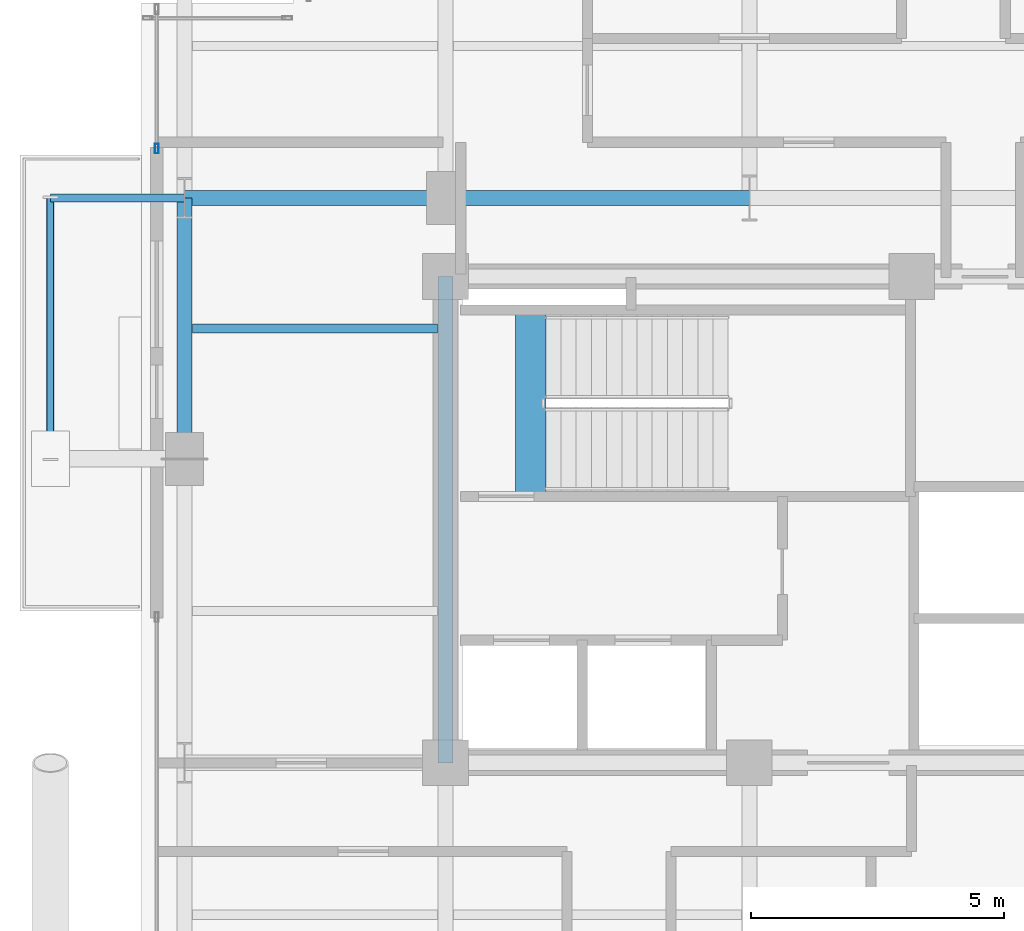
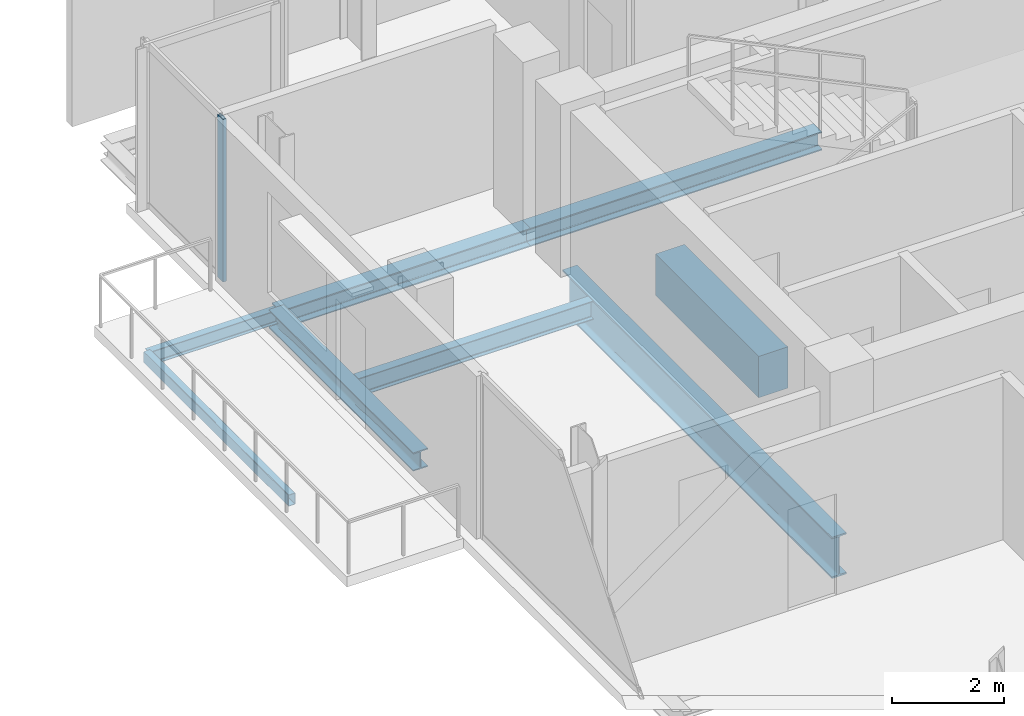
# One storey, part 8 of 28: 8 beams, 1 member, 1 element without a shape of its own.
"""IFC4 building model written with IfcOpenShell, lengths in metres."""

from ifc_helpers import new_model, si_unit, direction, frame, origin, origin_2d, place, context, subcontext, project, spatial, rectangle, hollow_rectangle, i_section, extrude, material, layer, layer_set, material_profile, profile_set, type_object, element, aggregate, save


model = new_model("IFC4")

# Units and contexts
model_context = context("Model", 3, precision=1e-05, world=origin(), true_north=direction((0.0, 1.0)))
body_context = subcontext(model_context, "Body", "Model", "MODEL_VIEW")
ifc_project = project(units=[si_unit("LENGTHUNIT", "METRE"), si_unit("AREAUNIT", "SQUARE_METRE"), si_unit("VOLUMEUNIT", "CUBIC_METRE"), si_unit("PLANEANGLEUNIT", "RADIAN"), si_unit("MASSUNIT", "GRAM", prefix="KILO"), si_unit("THERMODYNAMICTEMPERATUREUNIT", "KELVIN"), si_unit("POWERUNIT", "WATT")], contexts=[model_context])

# Site, building, storey
site_placement = place(None, origin())
site = spatial("IfcSite", under=ifc_project, at=site_placement, CompositionType="ELEMENT")
building_placement = place(site_placement, origin())
building = spatial("IfcBuilding", under=site, at=building_placement, Name="Svarakhadi Broadcast Tower", CompositionType="ELEMENT")
storey_placement = place(building_placement, frame((0.0, 0.0, 169.199951171875)))
storey = spatial("IfcBuildingStorey", under=building, at=storey_placement, Name="L41", CompositionType="ELEMENT", Elevation=169.199951171875)

# Beam
ifc_material_1 = material(Name="Steel S355J2 (IS 2062 E350C)", Category="steel")
ifc_material_profile_1 = material_profile(ifc_material_1, i_section(OverallWidth=0.179931640625, OverallDepth=0.39990234375, WebThickness=0.008544921875, FlangeThickness=0.013427734375, FilletRadius=0.02099609375, at=origin_2d()), Name="NPB 400x180x66")
ifc_profile_set_1 = profile_set([ifc_material_profile_1], Name="Steel S355J2 (IS 2062 E350C)")
beam_type_1 = type_object("IfcBeamType", Name="Beam_NPB400", PredefinedType="BEAM", material=ifc_profile_set_1)
beam_1_placement = place(storey_placement, frame((1.010009765625, 26.574951171875, -0.409912109375), z_axis=(1.0, 0.0, 0.0), x_axis=(0.0, 1.0, 0.0)))
element("IfcBeam", 1, at=beam_1_placement, inside=storey, type_object=beam_type_1, Name="L41 Secondary Composite Beam SB004", PredefinedType="BEAM", context=body_context, shape_type="SweptSolid", body=[
    extrude(i_section(OverallWidth=0.179931640625, OverallDepth=0.39990234375, WebThickness=0.008544921875, FlangeThickness=0.013427734375, FilletRadius=0.02099609375, at=origin_2d()), origin(), (0.0, 0.0, 1.0), 4.830078125),
])

# Curtain wall, member
ifc_material_2 = material(Name="Anodised Bronze Aluminium AA 6063-T6", Category="aluminium")
ifc_layer = layer(ifc_material_2, 0.18994140625)
ifc_layer_set = layer_set([ifc_layer], Name="Anodised Bronze Aluminium AA 6063-T6")
curtain_wall_type = type_object("IfcCurtainWallType", Name="CW_Sys_04", PredefinedType="NOTDEFINED", material=ifc_layer_set)
curtain_wall_placement = place(storey_placement, origin())
curtain_wall = element("IfcCurtainWall", 2, at=curtain_wall_placement, inside=storey, type_object=curtain_wall_type, Name="L41 West Curtain Wall 03", PredefinedType="NOTDEFINED")
ifc_material_profile_2 = material_profile(ifc_material_2, hollow_rectangle(XDim=0.070068359375, YDim=0.18994140625, WallThickness=0.005615234375, at=origin_2d()), Name="ALU MULLION 190x70x6")
ifc_profile_set_2 = profile_set([ifc_material_profile_2], Name="Anodised Bronze Aluminium AA 6063-T6")
member_type = type_object("IfcMemberType", Name="CW_Sys_04_Mul", PredefinedType="MULLION", material=ifc_profile_set_2)
member_placement = place(storey_placement, frame((0.300048828125, 30.125, 0.0), z_axis=(0.0, 0.0, 1.0), x_axis=(-1.0, 0.0, 0.0)))
member = element("IfcMember", 3, at=member_placement, type_object=member_type, Name="CW-04 mullion 1", PredefinedType="MULLION", context=body_context, shape_type="SweptSolid", body=[
    extrude(hollow_rectangle(XDim=0.070068359375, YDim=0.18994140625, WallThickness=0.005615234375, at=origin_2d()), origin(), (0.0, 0.0, 1.0), 3.5400390625),
])
aggregate(curtain_wall, [member])

# Beams
ifc_material_3 = material(Name="Concrete C50/60 (IS 456 M60)", Category="concrete")
ifc_material_profile_3 = material_profile(ifc_material_3, rectangle(XDim=0.60009765625, YDim=0.89990234375, at=origin_2d()), Name="RC 600x900")
ifc_profile_set_3 = profile_set([ifc_material_profile_3], Name="Concrete C50/60 (IS 456 M60)")
beam_type_2 = type_object("IfcBeamType", Name="Coupling_RC600", PredefinedType="USERDEFINED", material=ifc_profile_set_3)
beam_2_placement = place(storey_placement, frame((7.679931640625, 23.260009765625, -0.449951171875), z_axis=(0.0, 1.0, 0.0), x_axis=(-1.0, 0.0, 0.0)))
element("IfcBeam", 4, at=beam_2_placement, inside=storey, type_object=beam_type_2, Name="L41 Stair ST-01 Landing Throat Trimmer Beam CB-01", ObjectType="GIRDER", PredefinedType="USERDEFINED", context=body_context, shape_type="SweptSolid", body=[
    extrude(rectangle(XDim=0.60009765625, YDim=0.89990234375, at=origin_2d()), origin(), (0.0, 0.0, 1.0), 3.679931640625),
])
ifc_material_profile_4 = material_profile(ifc_material_1, i_section(OverallWidth=0.300048828125, OverallDepth=0.39990234375, WebThickness=0.013427734375, FlangeThickness=0.02392578125, FilletRadius=0.027099609375, at=origin_2d()), Name="WPB 400x300x155")
ifc_profile_set_4 = profile_set([ifc_material_profile_4], Name="Steel S355J2 (IS 2062 E350C)")
beam_type_3 = type_object("IfcBeamType", Name="Girder_WPB400", PredefinedType="USERDEFINED", material=ifc_profile_set_4)
beam_3_placement = place(storey_placement, frame((0.85009765625, 29.14990234375, -0.409912109375), z_axis=(1.0, 0.0, 0.0), x_axis=(0.0, 1.0, 0.0)))
element("IfcBeam", 5, at=beam_3_placement, inside=storey, type_object=beam_type_3, Name="L41 Primary E-W Girder G029", ObjectType="GIRDER", PredefinedType="USERDEFINED", context=body_context, shape_type="SweptSolid", body=[
    extrude(i_section(OverallWidth=0.300048828125, OverallDepth=0.39990234375, WebThickness=0.013427734375, FlangeThickness=0.02392578125, FilletRadius=0.027099609375, at=origin_2d()), origin(), (0.0, 0.0, 1.0), 5.14990234375),
])
beam_4_placement = place(storey_placement, frame((6.0, 29.14990234375, -0.409912109375), z_axis=(1.0, 0.0, 0.0), x_axis=(0.0, 1.0, 0.0)))
element("IfcBeam", 6, at=beam_4_placement, inside=storey, type_object=beam_type_3, Name="L41 Primary E-W Girder G030", ObjectType="GIRDER", PredefinedType="USERDEFINED", context=body_context, shape_type="SweptSolid", body=[
    extrude(i_section(OverallWidth=0.300048828125, OverallDepth=0.39990234375, WebThickness=0.013427734375, FlangeThickness=0.02392578125, FilletRadius=0.027099609375, at=origin_2d()), origin(), (0.0, 0.0, 1.0), 6.0),
])
beam_5_placement = place(storey_placement, frame((0.85009765625, 24.0, -0.409912109375), z_axis=(0.0, 1.0, 0.0), x_axis=(-1.0, 0.0, 0.0)))
element("IfcBeam", 7, at=beam_5_placement, inside=storey, type_object=beam_type_3, Name="L41 Primary N-S Girder G038", ObjectType="GIRDER", PredefinedType="USERDEFINED", context=body_context, shape_type="SweptSolid", body=[
    extrude(i_section(OverallWidth=0.300048828125, OverallDepth=0.39990234375, WebThickness=0.013427734375, FlangeThickness=0.02392578125, FilletRadius=0.027099609375, at=origin_2d()), origin(), (0.0, 0.0, 1.0), 5.14990234375),
])
ifc_material_4 = material(Name="Steel S460ML (IS 2062 E450BR)", Category="steel")
ifc_material_profile_5 = material_profile(ifc_material_4, i_section(OverallWidth=0.300048828125, OverallDepth=0.89990234375, WebThickness=0.0185546875, FlangeThickness=0.034912109375, FilletRadius=0.030029296875, at=origin_2d()), Name="WPB 900x300x291")
ifc_profile_set_5 = profile_set([ifc_material_profile_5], Name="Steel S460ML (IS 2062 E450BR)")
beam_type_4 = type_object("IfcBeamType", Name="Girder_WPB900", PredefinedType="USERDEFINED", material=ifc_profile_set_5)
beam_6_placement = place(storey_placement, frame((6.0, 18.0, -0.659912109375), z_axis=(0.0, 1.0, 0.0), x_axis=(-1.0, 0.0, 0.0)))
element("IfcBeam", 8, at=beam_6_placement, inside=storey, type_object=beam_type_4, Name="L41 Primary N-S Girder G043", ObjectType="GIRDER", PredefinedType="USERDEFINED", context=body_context, shape_type="SweptSolid", body=[
    extrude(i_section(OverallWidth=0.300048828125, OverallDepth=0.89990234375, WebThickness=0.0185546875, FlangeThickness=0.034912109375, FilletRadius=0.030029296875, at=origin_2d()), origin(), (0.0, 0.0, 1.0), 9.60009765625),
])
ifc_material_profile_6 = material_profile(ifc_material_1, i_section(OverallWidth=0.14990234375, OverallDepth=0.300048828125, WebThickness=0.007080078125, FlangeThickness=0.0107421875, FilletRadius=0.014892578125, at=origin_2d()), Name="NPB 300x150x37")
ifc_profile_set_6 = profile_set([ifc_material_profile_6], Name="Steel S355J2 (IS 2062 E350C)")
beam_type_5 = type_object("IfcBeamType", Name="Spandrel_NPB300", PredefinedType="SPANDREL", material=ifc_profile_set_6)
beam_7_placement = place(storey_placement, frame((0.85009765625, 29.14990234375, -0.375), z_axis=(-1.0, 0.0, 0.0), x_axis=(0.0, -1.0, 0.0)))
element("IfcBeam", 9, at=beam_7_placement, inside=storey, type_object=beam_type_5, Name="L41 Balcony Cantilever Bracket 2B", PredefinedType="SPANDREL", context=body_context, shape_type="SweptSolid", body=[
    extrude(i_section(OverallWidth=0.14990234375, OverallDepth=0.300048828125, WebThickness=0.007080078125, FlangeThickness=0.0107421875, FilletRadius=0.014892578125, at=origin_2d()), origin(), (0.0, 0.0, 1.0), 2.650146484375),
])
ifc_material_profile_7 = material_profile(ifc_material_4, hollow_rectangle(XDim=0.14990234375, YDim=0.25, WallThickness=0.010009765625, InnerFilletRadius=0.010009765625, OuterFilletRadius=0.02001953125, at=origin_2d()), Name="RHS 250x150x10")
ifc_profile_set_7 = profile_set([ifc_material_profile_7], Name="Steel S460ML (IS 2062 E450BR)")
beam_type_6 = type_object("IfcBeamType", Name="Spandrel_RHS250", PredefinedType="SPANDREL", material=ifc_profile_set_7)
beam_8_placement = place(storey_placement, frame((-1.800048828125, 24.0, -0.349853515625), z_axis=(0.0, 1.0, 0.0), x_axis=(-1.0, 0.0, 0.0)))
element("IfcBeam", 10, at=beam_8_placement, inside=storey, type_object=beam_type_6, Name="L41 Balcony Outer Spandrel 2F", PredefinedType="SPANDREL", context=body_context, shape_type="SweptSolid", body=[
    extrude(hollow_rectangle(XDim=0.14990234375, YDim=0.25, WallThickness=0.010009765625, InnerFilletRadius=0.010009765625, OuterFilletRadius=0.02001953125, at=origin_2d()), origin(), (0.0, 0.0, 1.0), 5.14990234375),
])

save(model, "model.ifc")
